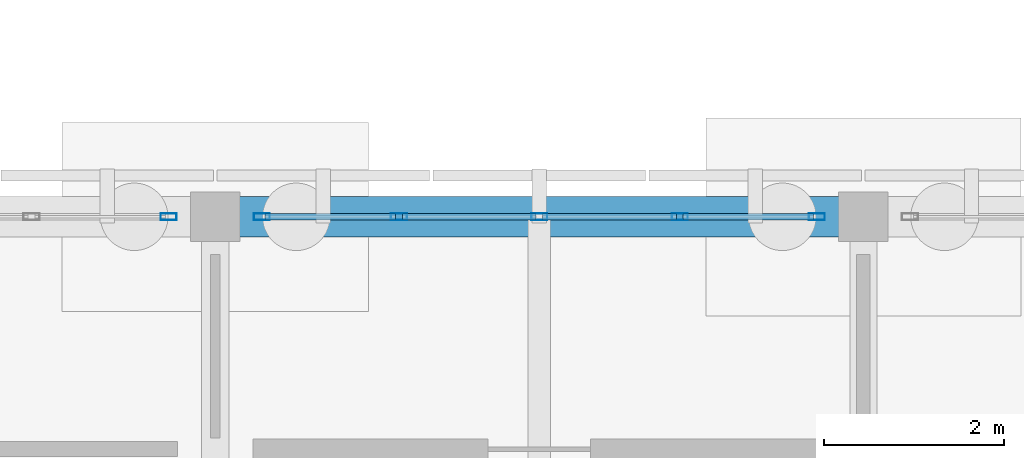
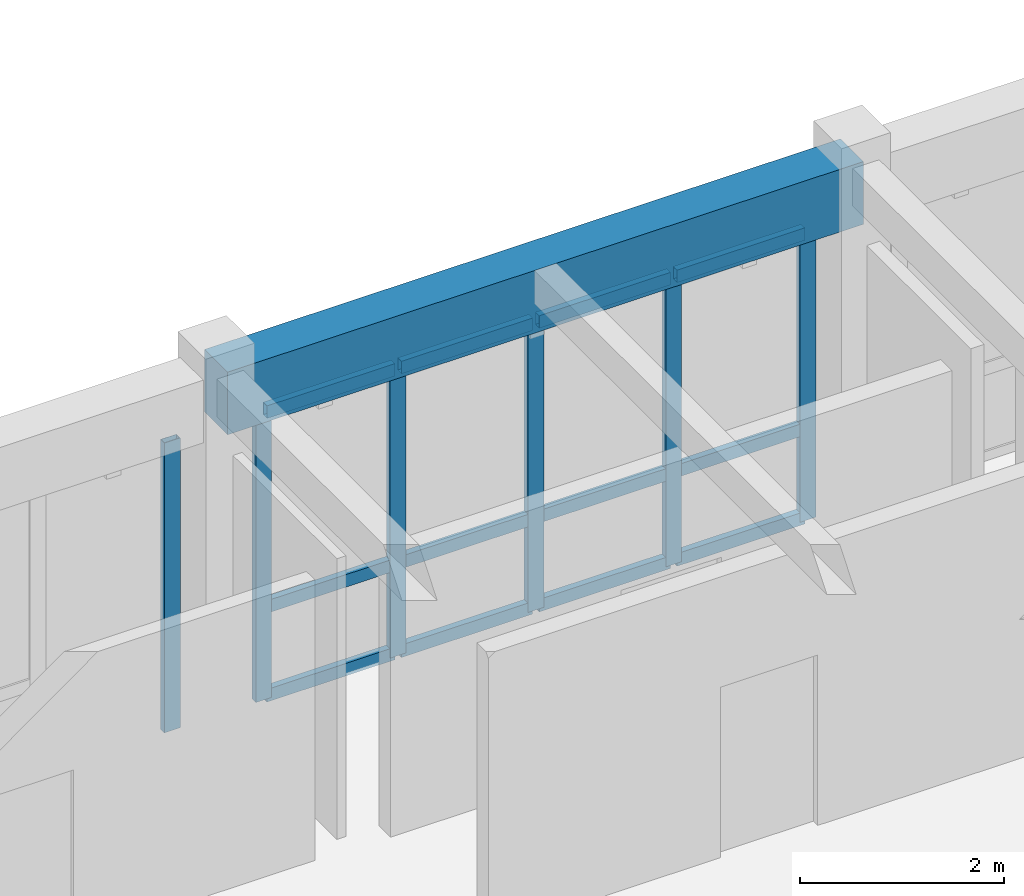
# One storey, part 31 of 111: 18 members, 1 beam, 2 elements without a shape of their own.
"""IFC4 building model written with IfcOpenShell, lengths in metres."""

from ifc_helpers import new_model, si_unit, direction, frame, origin, origin_2d, place, context, subcontext, project, spatial, rectangle, hollow_rectangle, extrude, material, material_profile, profile_set, type_object, element, aggregate, save


model = new_model("IFC4")

# Units and contexts
model_context = context("Model", 3, precision=1e-05, world=origin(), true_north=direction((0.0, 1.0)))
body_context = subcontext(model_context, "Body", "Model", "MODEL_VIEW")
ifc_project = project(units=[si_unit("LENGTHUNIT", "METRE"), si_unit("AREAUNIT", "SQUARE_METRE"), si_unit("VOLUMEUNIT", "CUBIC_METRE"), si_unit("PLANEANGLEUNIT", "RADIAN"), si_unit("MASSUNIT", "GRAM", prefix="KILO")], contexts=[model_context])

# Site, building, storey
site_placement = place(None, origin())
site = spatial("IfcSite", under=ifc_project, at=site_placement, CompositionType="ELEMENT")
building_placement = place(site_placement, origin())
building = spatial("IfcBuilding", under=site, at=building_placement, Name="Aldebral Square Health Centre", CompositionType="ELEMENT")
storey_placement = place(building_placement, origin())
storey = spatial("IfcBuildingStorey", under=building, at=storey_placement, Name="L00", CompositionType="ELEMENT", Elevation=0.0)

# Beam
ifc_material_1 = material(Name="Concrete C40/50", Category="concrete")
ifc_material_profile_1 = material_profile(ifc_material_1, rectangle(XDim=0.449951171875, YDim=0.75, at=origin_2d()), Name="RC 450x750")
ifc_profile_set_1 = profile_set([ifc_material_profile_1], Name="Concrete C40/50")
beam_type = type_object("IfcBeamType", Name="BM-G2", PredefinedType="T_BEAM", material=ifc_profile_set_1)
beam_placement = place(storey_placement, frame((79.199951171875, 100.800048828125, 3.844970703125), z_axis=(1.0, 0.0, 0.0), x_axis=(0.0, 1.0, 0.0)))
element("IfcBeam", 1, at=beam_placement, inside=storey, type_object=beam_type, Name="L00 X-beam 12-13/G15", PredefinedType="T_BEAM", context=body_context, shape_type="SweptSolid", body=[
    extrude(rectangle(XDim=0.449951171875, YDim=0.75, at=origin_2d()), origin(), (0.0, 0.0, 1.0), 7.199951171875),
])

# Curtain wall, member
ifc_material_2 = material(Name="Aluminium and low-E solar glass", Category="aluminium")
curtain_wall_type = type_object("IfcCurtainWallType", Name="CW-HALL-SYS", PredefinedType="USERDEFINED", material=ifc_material_2)
curtain_wall_1_placement = place(storey_placement, origin())
curtain_wall_1 = element("IfcCurtainWall", 2, at=curtain_wall_1_placement, inside=storey, type_object=curtain_wall_type, Name="L00 V1 hall curtain wall L00-V1-10-13-N", ObjectType="HALL_CURTAIN_WALL", PredefinedType="USERDEFINED")
ifc_material_3 = material(Name="Anodised aluminium mullion", Category="aluminium")
ifc_material_profile_2 = material_profile(ifc_material_3, hollow_rectangle(XDim=0.074951171875, YDim=0.179931640625, WallThickness=0.00390625, at=origin_2d()), Name="CWM 75x180x4")
ifc_profile_set_2 = profile_set([ifc_material_profile_2], Name="Anodised aluminium mullion")
member_type_1 = type_object("IfcMemberType", Name="CWM-STD", PredefinedType="MULLION", material=ifc_profile_set_2)
member_1_placement = place(storey_placement, frame((78.6826171875, 100.800048828125, 0.0), z_axis=(0.0, 0.0, 1.0), x_axis=(0.0, -1.0, 0.0)))
member_1 = element("IfcMember", 3, at=member_1_placement, type_object=member_type_1, Name="CW2 mullion 1", PredefinedType="MULLION", context=body_context, shape_type="SweptSolid", body=[
    extrude(hollow_rectangle(XDim=0.074951171875, YDim=0.179931640625, WallThickness=0.00390625, at=origin_2d()), origin(), (0.0, 0.0, 1.0), 3.469970703125),
])
aggregate(curtain_wall_1, [member_1])

# Curtain wall, members
curtain_wall_2_placement = place(storey_placement, origin())
curtain_wall_2 = element("IfcCurtainWall", 4, at=curtain_wall_2_placement, inside=storey, type_object=curtain_wall_type, Name="L00 V1 hall curtain wall L00-V1-11-13-N", ObjectType="HALL_CURTAIN_WALL", PredefinedType="USERDEFINED")
member_2_placement = place(storey_placement, frame((85.882568359375, 100.800048828125, 0.0), z_axis=(0.0, 0.0, 1.0), x_axis=(0.0, -1.0, 0.0)))
member_2 = element("IfcMember", 5, at=member_2_placement, type_object=member_type_1, Name="CW2 mullion 1", PredefinedType="MULLION", context=body_context, shape_type="SweptSolid", body=[
    extrude(hollow_rectangle(XDim=0.074951171875, YDim=0.179931640625, WallThickness=0.00390625, at=origin_2d()), origin(), (0.0, 0.0, 1.0), 3.469970703125),
])
member_3_placement = place(storey_placement, frame((84.360107421875, 100.800048828125, 0.0), z_axis=(0.0, 0.0, 1.0), x_axis=(0.0, -1.0, 0.0)))
member_3 = element("IfcMember", 6, at=member_3_placement, type_object=member_type_1, Name="CW2 mullion 2", PredefinedType="MULLION", context=body_context, shape_type="SweptSolid", body=[
    extrude(hollow_rectangle(XDim=0.074951171875, YDim=0.179931640625, WallThickness=0.00390625, at=origin_2d()), origin(), (0.0, 0.0, 1.0), 3.469970703125),
])
member_4_placement = place(storey_placement, frame((82.800048828125, 100.800048828125, 0.0), z_axis=(0.0, 0.0, 1.0), x_axis=(0.0, -1.0, 0.0)))
member_4 = element("IfcMember", 7, at=member_4_placement, type_object=member_type_1, Name="CW2 mullion 3", PredefinedType="MULLION", context=body_context, shape_type="SweptSolid", body=[
    extrude(hollow_rectangle(XDim=0.074951171875, YDim=0.179931640625, WallThickness=0.00390625, at=origin_2d()), origin(), (0.0, 0.0, 1.0), 3.469970703125),
])
member_5_placement = place(storey_placement, frame((81.239990234375, 100.800048828125, 0.0), z_axis=(0.0, 0.0, 1.0), x_axis=(0.0, -1.0, 0.0)))
member_5 = element("IfcMember", 8, at=member_5_placement, type_object=member_type_1, Name="CW2 mullion 4", PredefinedType="MULLION", context=body_context, shape_type="SweptSolid", body=[
    extrude(hollow_rectangle(XDim=0.074951171875, YDim=0.179931640625, WallThickness=0.00390625, at=origin_2d()), origin(), (0.0, 0.0, 1.0), 3.469970703125),
])
member_6_placement = place(storey_placement, frame((79.717529296875, 100.800048828125, 0.0), z_axis=(0.0, 0.0, 1.0), x_axis=(0.0, -1.0, 0.0)))
member_6 = element("IfcMember", 9, at=member_6_placement, type_object=member_type_1, Name="CW2 mullion 5", PredefinedType="MULLION", context=body_context, shape_type="SweptSolid", body=[
    extrude(hollow_rectangle(XDim=0.074951171875, YDim=0.179931640625, WallThickness=0.00390625, at=origin_2d()), origin(), (0.0, 0.0, 1.0), 3.469970703125),
])
ifc_material_4 = material(Name="Anodised aluminium transom", Category="aluminium")
ifc_material_profile_3 = material_profile(ifc_material_4, hollow_rectangle(XDim=0.074951171875, YDim=0.14990234375, WallThickness=0.00390625, at=origin_2d()), Name="CWT 75x150x4")
ifc_profile_set_3 = profile_set([ifc_material_profile_3], Name="Anodised aluminium transom")
member_type_2 = type_object("IfcMemberType", Name="CWT-STD", PredefinedType="USERDEFINED", material=ifc_profile_set_3)
member_7_placement = place(storey_placement, frame((85.844970703125, 100.800048828125, 0.03759765625), z_axis=(-1.0, 0.0, 0.0), x_axis=(0.0, -1.0, 0.0)))
member_7 = element("IfcMember", 10, at=member_7_placement, type_object=member_type_2, Name="CW2 transom 1.1", ObjectType="TRANSOM", PredefinedType="USERDEFINED", context=body_context, shape_type="SweptSolid", body=[
    extrude(hollow_rectangle(XDim=0.074951171875, YDim=0.14990234375, WallThickness=0.00390625, at=origin_2d()), origin(), (0.0, 0.0, 1.0), 1.447509765625),
])
member_8_placement = place(storey_placement, frame((85.844970703125, 100.800048828125, 1.10009765625), z_axis=(-1.0, 0.0, 0.0), x_axis=(0.0, -1.0, 0.0)))
member_8 = element("IfcMember", 11, at=member_8_placement, type_object=member_type_2, Name="CW2 transom 1.2", ObjectType="TRANSOM", PredefinedType="USERDEFINED", context=body_context, shape_type="SweptSolid", body=[
    extrude(hollow_rectangle(XDim=0.074951171875, YDim=0.14990234375, WallThickness=0.00390625, at=origin_2d()), origin(), (0.0, 0.0, 1.0), 1.447509765625),
])
member_9_placement = place(storey_placement, frame((85.844970703125, 100.800048828125, 3.4326171875), z_axis=(-1.0, 0.0, 0.0), x_axis=(0.0, -1.0, 0.0)))
member_9 = element("IfcMember", 12, at=member_9_placement, type_object=member_type_2, Name="CW2 transom 1.3", ObjectType="TRANSOM", PredefinedType="USERDEFINED", context=body_context, shape_type="SweptSolid", body=[
    extrude(hollow_rectangle(XDim=0.074951171875, YDim=0.14990234375, WallThickness=0.00390625, at=origin_2d()), origin(), (0.0, 0.0, 1.0), 1.447509765625),
])
member_10_placement = place(storey_placement, frame((84.322509765625, 100.800048828125, 0.03759765625), z_axis=(-1.0, 0.0, 0.0), x_axis=(0.0, -1.0, 0.0)))
member_10 = element("IfcMember", 13, at=member_10_placement, type_object=member_type_2, Name="CW2 transom 2.1", ObjectType="TRANSOM", PredefinedType="USERDEFINED", context=body_context, shape_type="SweptSolid", body=[
    extrude(hollow_rectangle(XDim=0.074951171875, YDim=0.14990234375, WallThickness=0.00390625, at=origin_2d()), origin(), (0.0, 0.0, 1.0), 1.485107421875),
])
member_11_placement = place(storey_placement, frame((84.322509765625, 100.800048828125, 1.10009765625), z_axis=(-1.0, 0.0, 0.0), x_axis=(0.0, -1.0, 0.0)))
member_11 = element("IfcMember", 14, at=member_11_placement, type_object=member_type_2, Name="CW2 transom 2.2", ObjectType="TRANSOM", PredefinedType="USERDEFINED", context=body_context, shape_type="SweptSolid", body=[
    extrude(hollow_rectangle(XDim=0.074951171875, YDim=0.14990234375, WallThickness=0.00390625, at=origin_2d()), origin(), (0.0, 0.0, 1.0), 1.485107421875),
])
member_12_placement = place(storey_placement, frame((84.322509765625, 100.800048828125, 3.4326171875), z_axis=(-1.0, 0.0, 0.0), x_axis=(0.0, -1.0, 0.0)))
member_12 = element("IfcMember", 15, at=member_12_placement, type_object=member_type_2, Name="CW2 transom 2.3", ObjectType="TRANSOM", PredefinedType="USERDEFINED", context=body_context, shape_type="SweptSolid", body=[
    extrude(hollow_rectangle(XDim=0.074951171875, YDim=0.14990234375, WallThickness=0.00390625, at=origin_2d()), origin(), (0.0, 0.0, 1.0), 1.485107421875),
])
member_13_placement = place(storey_placement, frame((82.762451171875, 100.800048828125, 0.03759765625), z_axis=(-1.0, 0.0, 0.0), x_axis=(0.0, -1.0, 0.0)))
member_13 = element("IfcMember", 16, at=member_13_placement, type_object=member_type_2, Name="CW2 transom 3.1", ObjectType="TRANSOM", PredefinedType="USERDEFINED", context=body_context, shape_type="SweptSolid", body=[
    extrude(hollow_rectangle(XDim=0.074951171875, YDim=0.14990234375, WallThickness=0.00390625, at=origin_2d()), origin(), (0.0, 0.0, 1.0), 1.48486328125),
])
member_14_placement = place(storey_placement, frame((82.762451171875, 100.800048828125, 1.10009765625), z_axis=(-1.0, 0.0, 0.0), x_axis=(0.0, -1.0, 0.0)))
member_14 = element("IfcMember", 17, at=member_14_placement, type_object=member_type_2, Name="CW2 transom 3.2", ObjectType="TRANSOM", PredefinedType="USERDEFINED", context=body_context, shape_type="SweptSolid", body=[
    extrude(hollow_rectangle(XDim=0.074951171875, YDim=0.14990234375, WallThickness=0.00390625, at=origin_2d()), origin(), (0.0, 0.0, 1.0), 1.48486328125),
])
member_15_placement = place(storey_placement, frame((82.762451171875, 100.800048828125, 3.4326171875), z_axis=(-1.0, 0.0, 0.0), x_axis=(0.0, -1.0, 0.0)))
member_15 = element("IfcMember", 18, at=member_15_placement, type_object=member_type_2, Name="CW2 transom 3.3", ObjectType="TRANSOM", PredefinedType="USERDEFINED", context=body_context, shape_type="SweptSolid", body=[
    extrude(hollow_rectangle(XDim=0.074951171875, YDim=0.14990234375, WallThickness=0.00390625, at=origin_2d()), origin(), (0.0, 0.0, 1.0), 1.48486328125),
])
member_16_placement = place(storey_placement, frame((81.202392578125, 100.800048828125, 0.03759765625), z_axis=(-1.0, 0.0, 0.0), x_axis=(0.0, -1.0, 0.0)))
member_16 = element("IfcMember", 19, at=member_16_placement, type_object=member_type_2, Name="CW2 transom 4.1", ObjectType="TRANSOM", PredefinedType="USERDEFINED", context=body_context, shape_type="SweptSolid", body=[
    extrude(hollow_rectangle(XDim=0.074951171875, YDim=0.14990234375, WallThickness=0.00390625, at=origin_2d()), origin(), (0.0, 0.0, 1.0), 1.447509765625),
])
member_17_placement = place(storey_placement, frame((81.202392578125, 100.800048828125, 1.10009765625), z_axis=(-1.0, 0.0, 0.0), x_axis=(0.0, -1.0, 0.0)))
member_17 = element("IfcMember", 20, at=member_17_placement, type_object=member_type_2, Name="CW2 transom 4.2", ObjectType="TRANSOM", PredefinedType="USERDEFINED", context=body_context, shape_type="SweptSolid", body=[
    extrude(hollow_rectangle(XDim=0.074951171875, YDim=0.14990234375, WallThickness=0.00390625, at=origin_2d()), origin(), (0.0, 0.0, 1.0), 1.447509765625),
])
member_18_placement = place(storey_placement, frame((81.202392578125, 100.800048828125, 3.4326171875), z_axis=(-1.0, 0.0, 0.0), x_axis=(0.0, -1.0, 0.0)))
member_18 = element("IfcMember", 21, at=member_18_placement, type_object=member_type_2, Name="CW2 transom 4.3", ObjectType="TRANSOM", PredefinedType="USERDEFINED", context=body_context, shape_type="SweptSolid", body=[
    extrude(hollow_rectangle(XDim=0.074951171875, YDim=0.14990234375, WallThickness=0.00390625, at=origin_2d()), origin(), (0.0, 0.0, 1.0), 1.447509765625),
])
aggregate(curtain_wall_2, [member_2, member_3, member_4, member_5, member_6, member_7, member_8, member_9, member_10, member_11, member_12, member_13, member_14, member_15, member_16, member_17, member_18])

save(model, "model.ifc")
